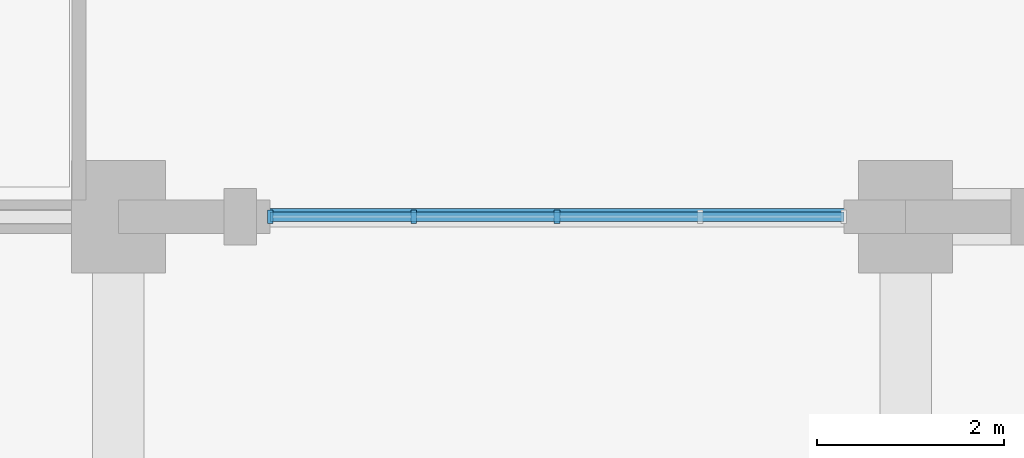
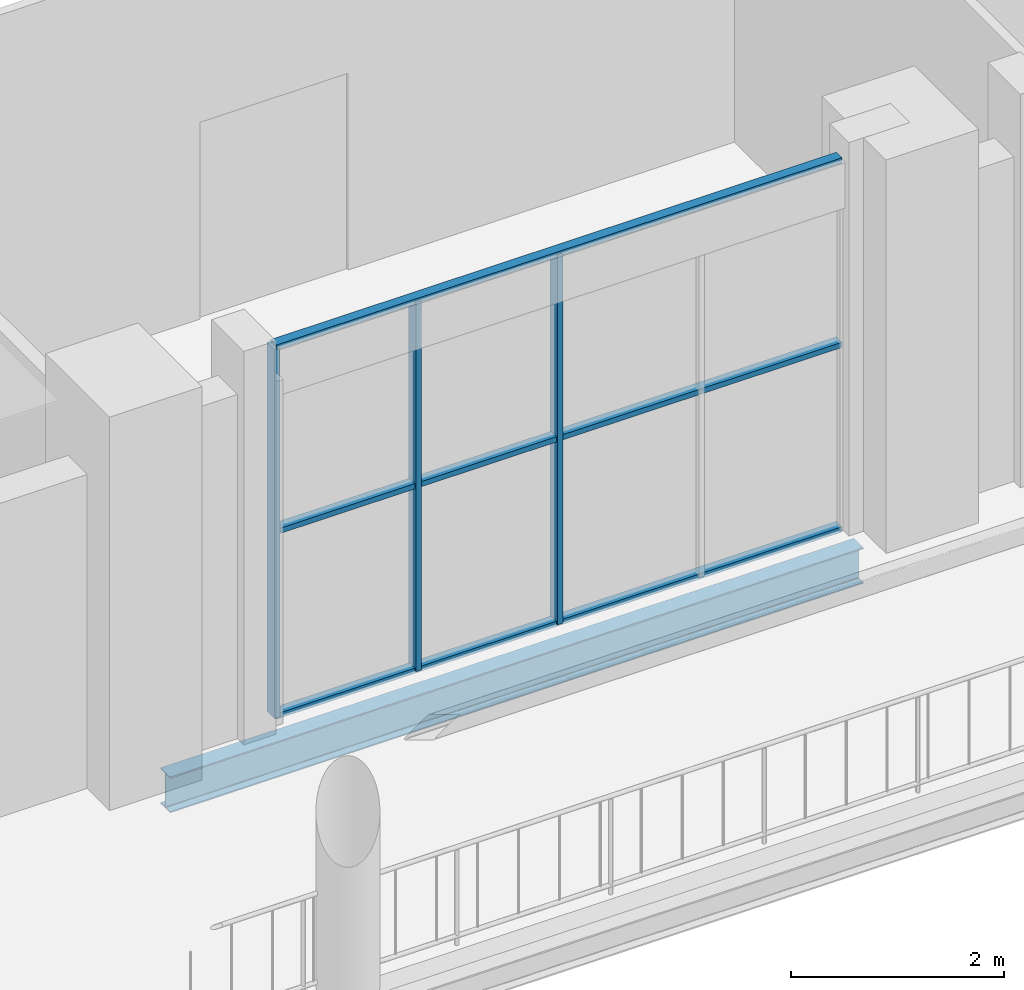
# One storey, part 17 of 75: 6 members, 1 beam, 1 element without a shape of its own.
"""IFC4 building model written with IfcOpenShell, lengths in metres."""

from ifc_helpers import new_model, si_unit, derived_unit, direction, frame, origin, origin_2d, place, context, subcontext, project, spatial, rectangle, i_section, extrude, material, material_profile, profile_set, type_object, element, aggregate, save


model = new_model("IFC4")

# Units and contexts
model_context = context("Model", 3, precision=1e-05, world=origin(), true_north=direction((0.0, 1.0)))
body_context = subcontext(model_context, "Body", "Model", "MODEL_VIEW")
ifc_project = project(units=[si_unit("LENGTHUNIT", "METRE"), si_unit("AREAUNIT", "SQUARE_METRE"), si_unit("VOLUMEUNIT", "CUBIC_METRE"), si_unit("PLANEANGLEUNIT", "RADIAN"), si_unit("MASSUNIT", "GRAM", prefix="KILO"), derived_unit("THERMALTRANSMITTANCEUNIT", [(si_unit("POWERUNIT", "WATT"), 1), (si_unit("LENGTHUNIT", "METRE"), -2), (si_unit("THERMODYNAMICTEMPERATUREUNIT", "KELVIN"), -1)])], contexts=[model_context])

# Site, building, storey
site_placement = place(None, origin())
site = spatial("IfcSite", under=ifc_project, at=site_placement, CompositionType="ELEMENT")
building_placement = place(site_placement, origin())
building = spatial("IfcBuilding", under=site, at=building_placement, Name="Barrovel Congress Hotel", CompositionType="ELEMENT")
storey_placement = place(building_placement, frame((0.0, 0.0, 5.39990234375)))
storey = spatial("IfcBuildingStorey", under=building, at=storey_placement, Name="L01", CompositionType="ELEMENT", Elevation=5.39990234375)

# Curtain wall, members
ifc_material_1 = material(Name="Anodised Aluminium Alloy 6063-T6", Category="aluminium")
curtain_wall_type = type_object("IfcCurtainWallType", Name="CW-ST-7200x3900", PredefinedType="USERDEFINED", material=ifc_material_1)
curtain_wall_placement = place(storey_placement, origin())
curtain_wall = element("IfcCurtainWall", 1, at=curtain_wall_placement, inside=storey, type_object=curtain_wall_type, Name="CW:L01:S:07", ObjectType="STICK CURTAIN WALL", PredefinedType="USERDEFINED")
ifc_material_profile_1 = material_profile(ifc_material_1, rectangle(XDim=0.06005859375, YDim=0.139892578125, at=origin_2d()), Name="AL-M60x140")
ifc_profile_set_1 = profile_set([ifc_material_profile_1], Name="Anodised Aluminium Alloy 6063-T6")
member_type_1 = type_object("IfcMemberType", Name="CWM-AL-M60x140", PredefinedType="MULLION", material=ifc_profile_set_1)
member_1_placement = place(storey_placement, frame((60.419921875, 4.199951171875, 0.0), z_axis=(0.0, 0.0, 1.0), x_axis=(1.0, 0.0, 0.0)))
member_1 = element("IfcMember", 2, at=member_1_placement, type_object=member_type_1, Name="CW:L01:S:07:M0", PredefinedType="MULLION", context=body_context, shape_type="SweptSolid", body=[
    extrude(rectangle(XDim=0.06005859375, YDim=0.139892578125, at=origin_2d()), origin(), (0.0, 0.0, 1.0), 4.22021484375),
])
member_2_placement = place(storey_placement, frame((61.949951171875, 4.199951171875, 0.0), z_axis=(0.0, 0.0, 1.0), x_axis=(1.0, 0.0, 0.0)))
member_2 = element("IfcMember", 3, at=member_2_placement, type_object=member_type_1, Name="CW:L01:S:07:M1", PredefinedType="MULLION", context=body_context, shape_type="SweptSolid", body=[
    extrude(rectangle(XDim=0.06005859375, YDim=0.139892578125, at=origin_2d()), origin(), (0.0, 0.0, 1.0), 4.22021484375),
])
member_3_placement = place(storey_placement, frame((63.47998046875, 4.199951171875, 0.0), z_axis=(0.0, 0.0, 1.0), x_axis=(1.0, 0.0, 0.0)))
member_3 = element("IfcMember", 4, at=member_3_placement, type_object=member_type_1, Name="CW:L01:S:07:M2", PredefinedType="MULLION", context=body_context, shape_type="SweptSolid", body=[
    extrude(rectangle(XDim=0.06005859375, YDim=0.139892578125, at=origin_2d()), origin(), (0.0, 0.0, 1.0), 4.22021484375),
])
ifc_material_profile_2 = material_profile(ifc_material_1, rectangle(XDim=0.10498046875, YDim=0.06005859375, at=origin_2d()), Name="AL-T60x105")
ifc_profile_set_2 = profile_set([ifc_material_profile_2], Name="Anodised Aluminium Alloy 6063-T6")
member_type_2 = type_object("IfcMemberType", Name="CWT-AL-T60x105", PredefinedType="USERDEFINED", material=ifc_profile_set_2)
member_4_placement = place(storey_placement, frame((60.419921875, 4.199951171875, 0.0), z_axis=(1.0, 0.0, 0.0), x_axis=(0.0, 1.0, 0.0)))
member_4 = element("IfcMember", 5, at=member_4_placement, type_object=member_type_2, Name="CW:L01:S:07:T0", ObjectType="TRANSOM", PredefinedType="USERDEFINED", context=body_context, shape_type="SweptSolid", body=[
    extrude(rectangle(XDim=0.10498046875, YDim=0.06005859375, at=origin_2d()), origin(), (0.0, 0.0, 1.0), 6.1201171875),
])
member_5_placement = place(storey_placement, frame((60.419921875, 4.199951171875, 2.110107421875), z_axis=(1.0, 0.0, 0.0), x_axis=(0.0, 1.0, 0.0)))
member_5 = element("IfcMember", 6, at=member_5_placement, type_object=member_type_2, Name="CW:L01:S:07:T1", ObjectType="TRANSOM", PredefinedType="USERDEFINED", context=body_context, shape_type="SweptSolid", body=[
    extrude(rectangle(XDim=0.10498046875, YDim=0.06005859375, at=origin_2d()), origin(), (0.0, 0.0, 1.0), 6.1201171875),
])
member_6_placement = place(storey_placement, frame((60.419921875, 4.199951171875, 4.22021484375), z_axis=(1.0, 0.0, 0.0), x_axis=(0.0, 1.0, 0.0)))
member_6 = element("IfcMember", 7, at=member_6_placement, type_object=member_type_2, Name="CW:L01:S:07:T2", ObjectType="TRANSOM", PredefinedType="USERDEFINED", context=body_context, shape_type="SweptSolid", body=[
    extrude(rectangle(XDim=0.10498046875, YDim=0.06005859375, at=origin_2d()), origin(), (0.0, 0.0, 1.0), 6.1201171875),
])
aggregate(curtain_wall, [member_1, member_2, member_3, member_4, member_5, member_6])

# Beam
ifc_material_2 = material(Name="Steel ASTM A992 Grade 50", Category="steel")
ifc_material_profile_3 = material_profile(ifc_material_2, i_section(OverallWidth=0.178955078125, OverallDepth=0.409912109375, WebThickness=0.0087890625, FlangeThickness=0.014404296875, FilletRadius=0.011962890625, at=origin_2d()), Name="W410x67")
ifc_profile_set_3 = profile_set([ifc_material_profile_3], Name="Steel ASTM A992 Grade 50")
beam_type = type_object("IfcBeamType", Name="SBM-W410x67", PredefinedType="BEAM", material=ifc_profile_set_3)
beam_placement = place(storey_placement, frame((59.25, 4.199951171875, -0.46484375), z_axis=(1.0, 0.0, 0.0), x_axis=(0.0, 1.0, 0.0)))
element("IfcBeam", 8, at=beam_placement, inside=storey, type_object=beam_type, Name="BMX:L01:4.2:58.8-67.2", PredefinedType="BEAM", context=body_context, shape_type="SweptSolid", body=[
    extrude(i_section(OverallWidth=0.178955078125, OverallDepth=0.409912109375, WebThickness=0.0087890625, FlangeThickness=0.014404296875, FilletRadius=0.011962890625, at=origin_2d()), origin(), (0.0, 0.0, 1.0), 7.5),
])

save(model, "model.ifc")
